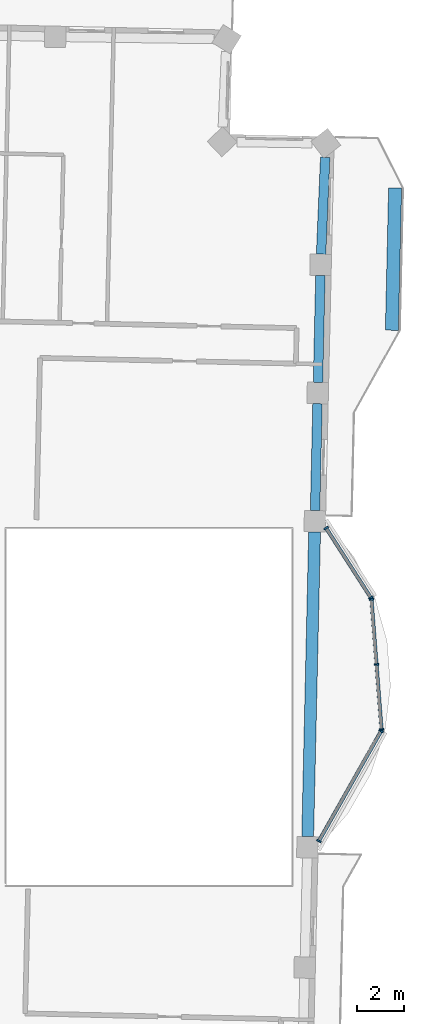
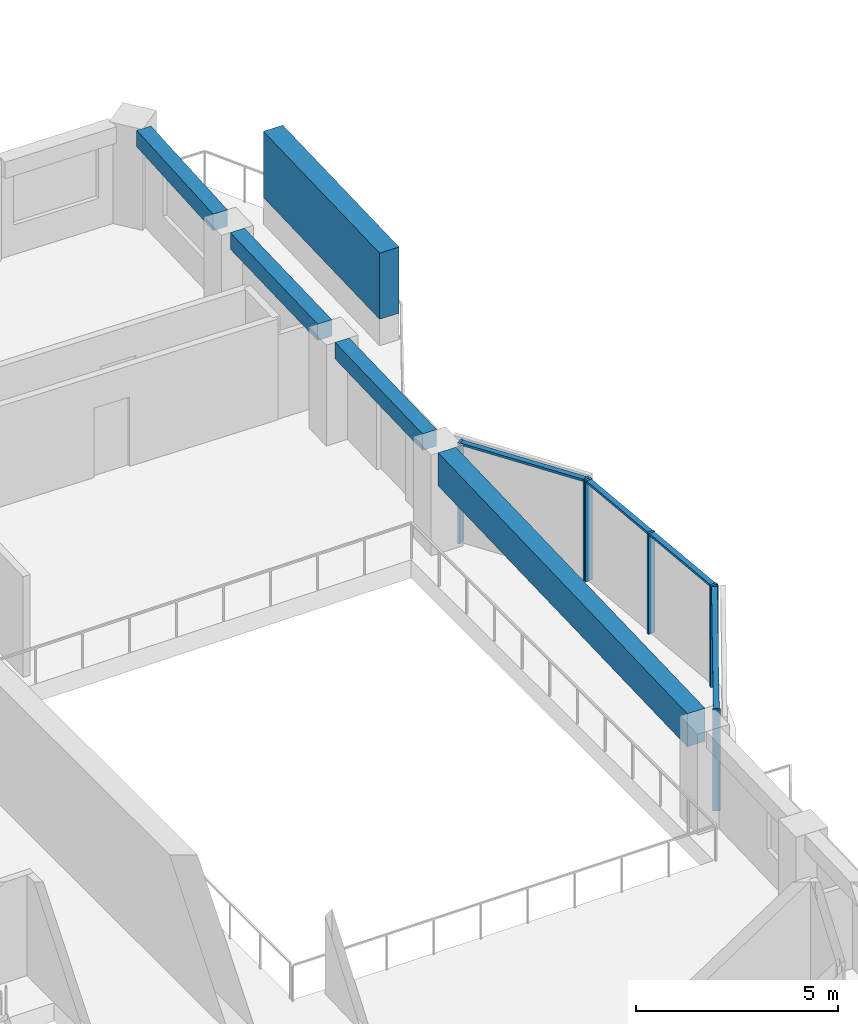
# One storey, part 2 of 15: 12 members, 4 beams, 3 elements without a shape of their own.
"""IFC4 building model written with IfcOpenShell, lengths in metres."""

from ifc_helpers import new_model, si_unit, direction, frame, origin, origin_2d, place, context, subcontext, project, spatial, rectangle, extrude, material, material_profile, profile_set, type_object, element, aggregate, save


model = new_model("IFC4")

# Units and contexts
model_context = context("Model", 3, precision=1e-05, world=origin(), true_north=direction((0.0, 1.0)))
body_context = subcontext(model_context, "Body", "Model", "MODEL_VIEW")
ifc_project = project(units=[si_unit("LENGTHUNIT", "METRE"), si_unit("AREAUNIT", "SQUARE_METRE"), si_unit("VOLUMEUNIT", "CUBIC_METRE"), si_unit("PLANEANGLEUNIT", "RADIAN"), si_unit("MASSUNIT", "GRAM", prefix="KILO")], contexts=[model_context])

# Site, building, storey
site_placement = place(None, origin())
site = spatial("IfcSite", under=ifc_project, at=site_placement, CompositionType="ELEMENT")
building_placement = place(site_placement, origin())
building = spatial("IfcBuilding", under=site, at=building_placement, Name="Mangrove Gate Tower", CompositionType="ELEMENT")
storey_placement = place(building_placement, frame((0.0, 0.0, 309.699951171875)))
storey = spatial("IfcBuildingStorey", under=building, at=storey_placement, Name="L79", CompositionType="ELEMENT", Elevation=309.699951171875)

# Curtain wall, members
ifc_material_1 = material(Name="Aluminium and glass curtain wall", Category="aluminium")
curtain_wall_type = type_object("IfcCurtainWallType", Name="Atrium garden-court glazing wall", PredefinedType="NOTDEFINED", material=ifc_material_1)
curtain_wall_1_placement = place(storey_placement, origin())
curtain_wall_1 = element("IfcCurtainWall", 1, at=curtain_wall_1_placement, inside=storey, type_object=curtain_wall_type, Name="Atrium garden-court glazing E1f1", PredefinedType="NOTDEFINED")
ifc_material_2 = material(Name="Aluminium alloy 6063-T6", Category="aluminium")
ifc_material_profile_1 = material_profile(ifc_material_2, rectangle(XDim=0.070068359375, YDim=0.199951171875, at=origin_2d()))
ifc_profile_set_1 = profile_set([ifc_material_profile_1], Name="Aluminium alloy 6063-T6")
member_type_1 = type_object("IfcMemberType", Name="Atrium garden-court glazing mullion 70x200", PredefinedType="MULLION", material=ifc_profile_set_1)
member_1_placement = place(storey_placement, frame((29.06884765625, -5.647216796875, 0.0), z_axis=(0.0, 0.0, 1.0), x_axis=(0.4925871539, 0.870263118725, 0.0)))
member_1 = element("IfcMember", 2, at=member_1_placement, type_object=member_type_1, Name="CWA mullion 1", PredefinedType="MULLION", context=body_context, shape_type="SweptSolid", body=[
    extrude(rectangle(XDim=0.070068359375, YDim=0.199951171875, at=origin_2d()), origin(), (0.0, 0.0, 1.0), 3.050048828125),
])
member_2_placement = place(storey_placement, frame((31.693359375, -1.01025390625, 0.0), z_axis=(0.0, 0.0, 1.0), x_axis=(0.4925871539, 0.870263118725, 0.0)))
member_2 = element("IfcMember", 3, at=member_2_placement, type_object=member_type_1, Name="CWA mullion 2", PredefinedType="MULLION", context=body_context, shape_type="SweptSolid", body=[
    extrude(rectangle(XDim=0.070068359375, YDim=0.199951171875, at=origin_2d()), origin(), (0.0, 0.0, 1.0), 3.050048828125),
])

curtain_wall_2_placement = place(storey_placement, origin())
curtain_wall_2 = element("IfcCurtainWall", 4, at=curtain_wall_2_placement, inside=storey, type_object=curtain_wall_type, Name="Atrium garden-court glazing E1f2", PredefinedType="NOTDEFINED")
member_3_placement = place(storey_placement, frame((31.7080078125, -0.94482421875, 0.0), z_axis=(0.0, 0.0, 1.0), x_axis=(-0.077023348212, 0.997029289354, 0.0)))
member_3 = element("IfcMember", 5, at=member_3_placement, type_object=member_type_1, Name="CWA mullion 1", PredefinedType="MULLION", context=body_context, shape_type="SweptSolid", body=[
    extrude(rectangle(XDim=0.070068359375, YDim=0.199951171875, at=origin_2d()), origin(), (0.0, 0.0, 1.0), 3.050048828125),
])
member_4_placement = place(storey_placement, frame((31.495849609375, 1.798583984375, 0.0), z_axis=(0.0, 0.0, 1.0), x_axis=(-0.077023348212, 0.997029289354, 0.0)))
member_4 = element("IfcMember", 6, at=member_4_placement, type_object=member_type_1, Name="CWA mullion 2", PredefinedType="MULLION", context=body_context, shape_type="SweptSolid", body=[
    extrude(rectangle(XDim=0.070068359375, YDim=0.199951171875, at=origin_2d()), origin(), (0.0, 0.0, 1.0), 3.050048828125),
])
member_5_placement = place(storey_placement, frame((31.283935546875, 4.542236328125, 0.0), z_axis=(0.0, 0.0, 1.0), x_axis=(-0.077023348212, 0.997029289354, 0.0)))
member_5 = element("IfcMember", 7, at=member_5_placement, type_object=member_type_1, Name="CWA mullion 3", PredefinedType="MULLION", context=body_context, shape_type="SweptSolid", body=[
    extrude(rectangle(XDim=0.070068359375, YDim=0.199951171875, at=origin_2d()), origin(), (0.0, 0.0, 1.0), 3.050048828125),
])

curtain_wall_3_placement = place(storey_placement, origin())
curtain_wall_3 = element("IfcCurtainWall", 8, at=curtain_wall_3_placement, inside=storey, type_object=curtain_wall_type, Name="Atrium garden-court glazing E1f3", PredefinedType="NOTDEFINED")
member_6_placement = place(storey_placement, frame((31.262451171875, 4.606689453125, 0.0), z_axis=(0.0, 0.0, 1.0), x_axis=(-0.540512472211, 0.841336001479, 0.0)))
member_6 = element("IfcMember", 9, at=member_6_placement, type_object=member_type_1, Name="CWA mullion 1", PredefinedType="MULLION", context=body_context, shape_type="SweptSolid", body=[
    extrude(rectangle(XDim=0.070068359375, YDim=0.199951171875, at=origin_2d()), origin(), (0.0, 0.0, 1.0), 3.050048828125),
])
member_7_placement = place(storey_placement, frame((29.371337890625, 7.550048828125, 0.0), z_axis=(0.0, 0.0, 1.0), x_axis=(-0.540512472211, 0.841336001479, 0.0)))
member_7 = element("IfcMember", 10, at=member_7_placement, type_object=member_type_1, Name="CWA mullion 2", PredefinedType="MULLION", context=body_context, shape_type="SweptSolid", body=[
    extrude(rectangle(XDim=0.070068359375, YDim=0.199951171875, at=origin_2d()), origin(), (0.0, 0.0, 1.0), 3.050048828125),
])

# Member
ifc_material_3 = material(Name="Aluminium alloy 6063-T6", Category="aluminium")
ifc_material_profile_2 = material_profile(ifc_material_3, rectangle(XDim=0.070068359375, YDim=0.14990234375, at=origin_2d()))
ifc_profile_set_2 = profile_set([ifc_material_profile_2], Name="Aluminium alloy 6063-T6")
member_type_2 = type_object("IfcMemberType", Name="Atrium garden-court glazing transom 70x150", PredefinedType="USERDEFINED", material=ifc_profile_set_2)
member_8_placement = place(storey_placement, frame((29.0859375, -5.61669921875, 3.01513671875), z_axis=(0.492589594548, 0.870261737262, 0.0), x_axis=(0.0, 0.0, 1.0)))
member_8 = element("IfcMember", 11, at=member_8_placement, type_object=member_type_2, Name="CWA transom 1.2", ObjectType="TRANSOM", PredefinedType="USERDEFINED", context=body_context, shape_type="SweptSolid", body=[
    extrude(rectangle(XDim=0.070068359375, YDim=0.14990234375, at=origin_2d()), origin(), (0.0, 0.0, 1.0), 5.258056640625),
])

aggregate(curtain_wall_1, [member_1, member_2, member_8])

member_9_placement = place(storey_placement, frame((31.705322265625, -0.909912109375, 3.01513671875), z_axis=(-0.077114223205, 0.997022264836, 0.0), x_axis=(0.0, 0.0, 1.0)))
member_9 = element("IfcMember", 12, at=member_9_placement, type_object=member_type_2, Name="CWA transom 1.2", ObjectType="TRANSOM", PredefinedType="USERDEFINED", context=body_context, shape_type="SweptSolid", body=[
    extrude(rectangle(XDim=0.070068359375, YDim=0.14990234375, at=origin_2d()), origin(), (0.0, 0.0, 1.0), 2.681640625),
])

member_10_placement = place(storey_placement, frame((31.4931640625, 1.83349609375, 3.01513671875), z_axis=(-0.07701672858, 0.997029800718, 0.0), x_axis=(0.0, 0.0, 1.0)))
member_10 = element("IfcMember", 13, at=member_10_placement, type_object=member_type_2, Name="CWA transom 2.2", ObjectType="TRANSOM", PredefinedType="USERDEFINED", context=body_context, shape_type="SweptSolid", body=[
    extrude(rectangle(XDim=0.070068359375, YDim=0.14990234375, at=origin_2d()), origin(), (0.0, 0.0, 1.0), 2.681884765625),
])

aggregate(curtain_wall_2, [member_3, member_4, member_5, member_9, member_10])

member_11_placement = place(storey_placement, frame((31.243408203125, 4.635986328125, 3.01513671875), z_axis=(-0.540455251262, 0.841372760067, 0.0), x_axis=(0.0, 0.0, 1.0)))
member_11 = element("IfcMember", 14, at=member_11_placement, type_object=member_type_2, Name="CWA transom 1.2", ObjectType="TRANSOM", PredefinedType="USERDEFINED", context=body_context, shape_type="SweptSolid", body=[
    extrude(rectangle(XDim=0.070068359375, YDim=0.14990234375, at=origin_2d()), origin(), (0.0, 0.0, 1.0), 3.4287109375),
])

aggregate(curtain_wall_3, [member_6, member_7, member_11])

ifc_material_4 = material(Name="Planting on aluminium trellis", Category="aluminium")
ifc_material_profile_3 = material_profile(ifc_material_4, rectangle(XDim=0.550048828125, YDim=2.0, at=origin_2d()))
ifc_profile_set_3 = profile_set([ifc_material_profile_3], Name="Planting on aluminium trellis")
member_type_3 = type_object("IfcMemberType", Name="Balcony greenery screen 550x2000", PredefinedType="USERDEFINED", material=ifc_profile_set_3)
member_12_placement = place(storey_placement, frame((32.14697265625, 15.887939453125, 1.800048828125), z_axis=(0.022665943652, 0.999743094499, 0.0), x_axis=(-0.999743094499, 0.022665943652, 0.0)))
element("IfcMember", 15, at=member_12_placement, inside=storey, type_object=member_type_3, Name="GREEN SCREEN L79 E1.1", ObjectType="PLANTING", PredefinedType="USERDEFINED", context=body_context, shape_type="SweptSolid", body=[
    extrude(rectangle(XDim=0.550048828125, YDim=2.0, at=origin_2d()), origin(), (0.0, 0.0, 1.0), 5.99951171875),
])

# Beams
ifc_material_5 = material(Name="Concrete C50/60", Category="concrete")
ifc_material_profile_4 = material_profile(ifc_material_5, rectangle(XDim=0.39990234375, YDim=0.5, at=origin_2d()))
ifc_profile_set_4 = profile_set([ifc_material_profile_4], Name="Concrete C50/60")
beam_type_1 = type_object("IfcBeamType", Name="Edge beam RC 400x500 C50/60", PredefinedType="BEAM", material=ifc_profile_set_4)
beam_1_placement = place(storey_placement, frame((28.908447265625, 8.28515625, 2.800048828125), z_axis=(0.022744778057, 0.999741304074, 0.0), x_axis=(-0.999741304074, 0.022744778057, 0.0)))
element("IfcBeam", 16, at=beam_1_placement, inside=storey, type_object=beam_type_1, Name="Edge beam L79 18", PredefinedType="BEAM", context=body_context, shape_type="SweptSolid", body=[
    extrude(rectangle(XDim=0.39990234375, YDim=0.5, at=origin_2d()), origin(), (0.0, 0.0, 1.0), 4.50830078125),
])
beam_2_placement = place(storey_placement, frame((29.03125, 13.692138671875, 2.800048828125), z_axis=(0.022587290064, 0.999744874619, 0.0), x_axis=(-0.999744874619, 0.022587290064, 0.0)))
element("IfcBeam", 17, at=beam_2_placement, inside=storey, type_object=beam_type_1, Name="Edge beam L79 19", PredefinedType="BEAM", context=body_context, shape_type="SweptSolid", body=[
    extrude(rectangle(XDim=0.39990234375, YDim=0.5, at=origin_2d()), origin(), (0.0, 0.0, 1.0), 4.50732421875),
])
beam_3_placement = place(storey_placement, frame((29.162109375, 19.097900390625, 2.800048828125), z_axis=(0.042425880864, 0.999099616972, 0.0), x_axis=(-0.999099616972, 0.042425880864, 0.0)))
element("IfcBeam", 18, at=beam_3_placement, inside=storey, type_object=beam_type_1, Name="Edge beam L79 20", PredefinedType="BEAM", context=body_context, shape_type="SweptSolid", body=[
    extrude(rectangle(XDim=0.39990234375, YDim=0.5, at=origin_2d()), origin(), (0.0, 0.0, 1.0), 4.085693359375),
])
ifc_material_6 = material(Name="Concrete C50/60", Category="concrete")
ifc_material_profile_5 = material_profile(ifc_material_6, rectangle(XDim=0.5, YDim=1.0, at=origin_2d()))
ifc_profile_set_5 = profile_set([ifc_material_profile_5], Name="Concrete C50/60")
beam_type_2 = type_object("IfcBeamType", Name="Edge beam RC 500x1000 C50/60", PredefinedType="BEAM", material=ifc_profile_set_5)
beam_4_placement = place(storey_placement, frame((28.596435546875, -5.4619140625, 2.550048828125), z_axis=(0.022684290942, 0.999742678365, 0.0), x_axis=(-0.999742678365, 0.022684290942, 0.0)))
element("IfcBeam", 19, at=beam_4_placement, inside=storey, type_object=beam_type_2, Name="Edge beam L79 17", PredefinedType="BEAM", context=body_context, shape_type="SweptSolid", body=[
    extrude(rectangle(XDim=0.5, YDim=1.0, at=origin_2d()), origin(), (0.0, 0.0, 1.0), 12.8505859375),
])

save(model, "model.ifc")
